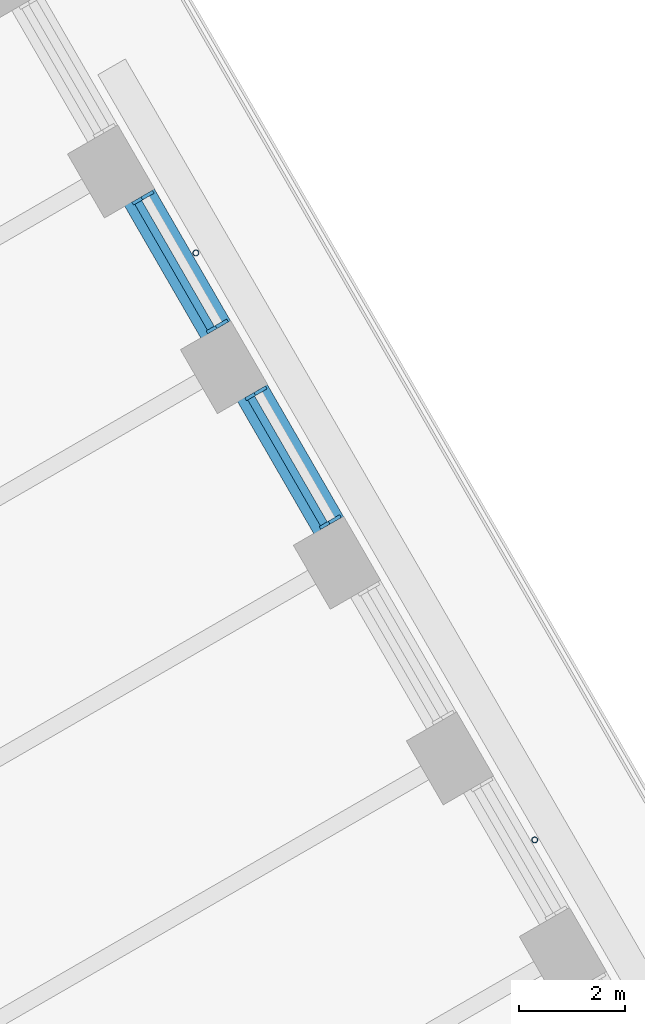
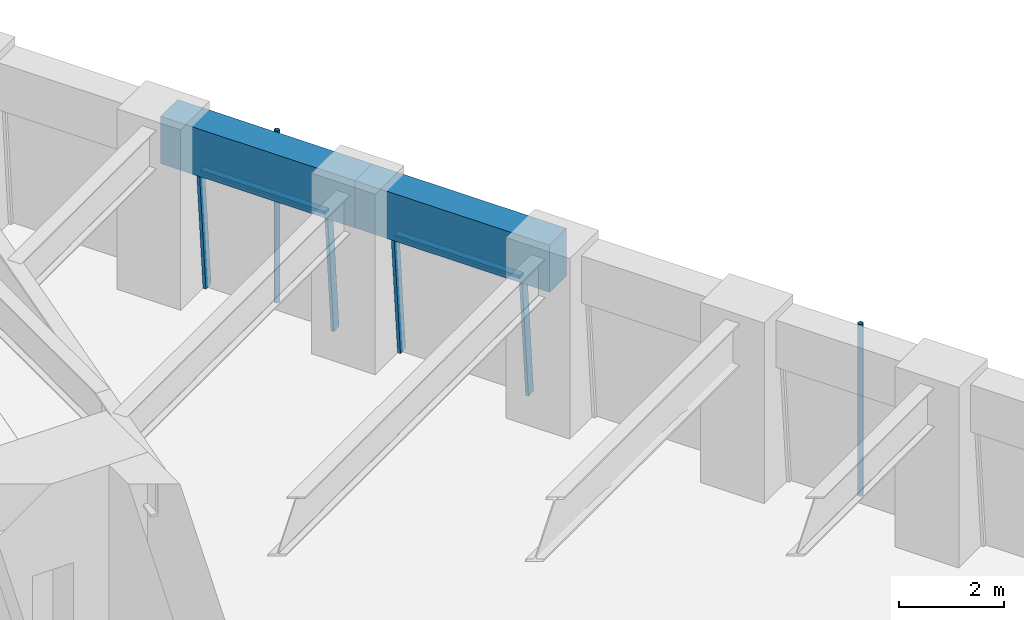
# One storey, part 10 of 19: 8 members, 2 beams, 2 elements without a shape of their own.
"""IFC4 building model written with IfcOpenShell, lengths in metres."""

from ifc_helpers import new_model, si_unit, direction, frame, origin, origin_2d, place, context, subcontext, project, spatial, rectangle, hollow_circle, extrude, material, material_profile, profile_set, type_object, element, aggregate, save


model = new_model("IFC4")

# Units and contexts
model_context = context("Model", 3, precision=1e-05, world=origin(), true_north=direction((0.0, 1.0)))
body_context = subcontext(model_context, "Body", "Model", "MODEL_VIEW")
ifc_project = project(units=[si_unit("LENGTHUNIT", "METRE"), si_unit("AREAUNIT", "SQUARE_METRE"), si_unit("VOLUMEUNIT", "CUBIC_METRE"), si_unit("PLANEANGLEUNIT", "RADIAN"), si_unit("MASSUNIT", "GRAM", prefix="KILO")], contexts=[model_context])

# Site, building, storey
site_placement = place(None, origin())
site = spatial("IfcSite", under=ifc_project, at=site_placement, CompositionType="ELEMENT")
building_placement = place(site_placement, origin())
building = spatial("IfcBuilding", under=site, at=building_placement, Name="Tarfa Lantern Tower", CompositionType="ELEMENT")
storey_placement = place(building_placement, frame((0.0, 0.0, 328.300048828125)))
storey = spatial("IfcBuildingStorey", under=building, at=storey_placement, Name="L74", CompositionType="ELEMENT", Elevation=328.300048828125)

# Curtain wall, members
ifc_material_1 = material(Name="Aluminium framed curtain wall", Category="aluminium")
curtain_wall_type = type_object("IfcCurtainWallType", Name="CW4 CANTED GLAZING EXECUTIVE ZONE 2900", PredefinedType="USERDEFINED", material=ifc_material_1)
curtain_wall_1_placement = place(storey_placement, origin())
curtain_wall_1 = element("IfcCurtainWall", 1, at=curtain_wall_1_placement, inside=storey, type_object=curtain_wall_type, Name="CW4 NE L74", ObjectType="CURTAIN WALL", PredefinedType="USERDEFINED")
ifc_material_2 = material(Name="Aluminium mullion", Category="aluminium")
ifc_material_profile_1 = material_profile(ifc_material_2, rectangle(XDim=0.06494140625, YDim=0.199951171875, at=origin_2d()), Name="AL MULLION 65x200")
ifc_profile_set_1 = profile_set([ifc_material_profile_1], Name="Aluminium mullion")
member_type_1 = type_object("IfcMemberType", Name="CWM1 MULLION 65x200", PredefinedType="MULLION", material=ifc_profile_set_1)
member_1_placement = place(storey_placement, frame((22.71337890625, 13.95947265625, 0.0), z_axis=(-0.074399820079, -0.042945555672, 0.996303340364), x_axis=(0.499919672301, -0.866071776036, 0.0)))
member_1 = element("IfcMember", 2, at=member_1_placement, type_object=member_type_1, Name="CW4 mullion 1", PredefinedType="MULLION", context=body_context, shape_type="SweptSolid", body=[
    extrude(rectangle(XDim=0.06494140625, YDim=0.199951171875, at=origin_2d()), origin(), (0.0, 0.0, 1.0), 2.91064453125),
])
member_2_placement = place(storey_placement, frame((21.304931640625, 16.39892578125, 0.0), z_axis=(-0.074399820079, -0.042945555672, 0.996303340364), x_axis=(0.499919672301, -0.866071776036, 0.0)))
member_2 = element("IfcMember", 3, at=member_2_placement, type_object=member_type_1, Name="CW4 mullion 2", PredefinedType="MULLION", context=body_context, shape_type="SweptSolid", body=[
    extrude(rectangle(XDim=0.06494140625, YDim=0.199951171875, at=origin_2d()), origin(), (0.0, 0.0, 1.0), 2.91064453125),
])

curtain_wall_2_placement = place(storey_placement, origin())
curtain_wall_2 = element("IfcCurtainWall", 4, at=curtain_wall_2_placement, inside=storey, type_object=curtain_wall_type, Name="CW4 NE L74", ObjectType="CURTAIN WALL", PredefinedType="USERDEFINED")
member_3_placement = place(storey_placement, frame((20.572265625, 17.667724609375, 0.0), z_axis=(-0.074399820079, -0.042945555672, 0.996303340364), x_axis=(0.499919672301, -0.866071776036, 0.0)))
member_3 = element("IfcMember", 5, at=member_3_placement, type_object=member_type_1, Name="CW4 mullion 1", PredefinedType="MULLION", context=body_context, shape_type="SweptSolid", body=[
    extrude(rectangle(XDim=0.06494140625, YDim=0.199951171875, at=origin_2d()), origin(), (0.0, 0.0, 1.0), 2.91064453125),
])
member_4_placement = place(storey_placement, frame((19.163818359375, 20.107421875, 0.0), z_axis=(-0.074399820079, -0.042945555672, 0.996303340364), x_axis=(0.499919672301, -0.866071776036, 0.0)))
member_4 = element("IfcMember", 6, at=member_4_placement, type_object=member_type_1, Name="CW4 mullion 2", PredefinedType="MULLION", context=body_context, shape_type="SweptSolid", body=[
    extrude(rectangle(XDim=0.06494140625, YDim=0.199951171875, at=origin_2d()), origin(), (0.0, 0.0, 1.0), 2.91064453125),
])

# Member
ifc_material_3 = material(Name="Aluminium transom", Category="aluminium")
ifc_material_profile_2 = material_profile(ifc_material_3, rectangle(XDim=0.14990234375, YDim=0.06494140625, at=origin_2d()), Name="AL TRANSOM 150x65")
ifc_profile_set_2 = profile_set([ifc_material_profile_2], Name="Aluminium transom")
member_type_2 = type_object("IfcMemberType", Name="CWT1 TRANSOM 150x65", PredefinedType="USERDEFINED", material=ifc_profile_set_2)
member_5_placement = place(storey_placement, frame((22.48291015625, 13.864013671875, 2.867431640625), z_axis=(-0.499993790352, 0.866028988896, 0.0), x_axis=(-0.866028988896, -0.499993790352, 0.0)))
member_5 = element("IfcMember", 7, at=member_5_placement, type_object=member_type_2, Name="CW4 transom 1.2", ObjectType="TRANSOM", PredefinedType="USERDEFINED", context=body_context, shape_type="SweptSolid", body=[
    extrude(rectangle(XDim=0.14990234375, YDim=0.06494140625, at=origin_2d()), origin(), (0.0, 0.0, 1.0), 2.751953125),
])

aggregate(curtain_wall_1, [member_1, member_2, member_5])

member_6_placement = place(storey_placement, frame((20.342041015625, 17.572265625, 2.867431640625), z_axis=(-0.499993790352, 0.866028988896, 0.0), x_axis=(-0.866028988896, -0.499993790352, 0.0)))
member_6 = element("IfcMember", 8, at=member_6_placement, type_object=member_type_2, Name="CW4 transom 1.2", ObjectType="TRANSOM", PredefinedType="USERDEFINED", context=body_context, shape_type="SweptSolid", body=[
    extrude(rectangle(XDim=0.14990234375, YDim=0.06494140625, at=origin_2d()), origin(), (0.0, 0.0, 1.0), 2.751953125),
])

aggregate(curtain_wall_2, [member_3, member_4, member_6])

# Beams
ifc_material_4 = material(Name="Concrete C80/95", Category="concrete")
ifc_material_profile_3 = material_profile(ifc_material_4, rectangle(XDim=0.64990234375, YDim=1.10009765625, at=origin_2d()), Name="RC 650x1100")
ifc_profile_set_3 = profile_set([ifc_material_profile_3], Name="Concrete C80/95")
beam_type = type_object("IfcBeamType", Name="EB4 RC 650x1100", PredefinedType="SPANDREL", material=ifc_profile_set_3)
for number, where, z_axis, x_axis, name in (
    (9, (22.923583984375, 13.235107421875, 3.449951171875), (-0.499984039138, 0.866034618596, 0.0), (-0.866034618596, -0.499984039138, 0.0), "Edge beam NE3"),
    (10, (20.78271484375, 16.943359375, 3.449951171875), (-0.500026801138, 0.866009929587, 0.0), (-0.866009929587, -0.500026801138, 0.0), "Edge beam NE4"),
):
    element("IfcBeam", number, at=place(storey_placement, frame(where, z_axis=z_axis, x_axis=x_axis)), inside=storey, type_object=beam_type, Name=name, PredefinedType="SPANDREL", context=body_context, shape_type="SweptSolid", body=[
        extrude(rectangle(XDim=0.64990234375, YDim=1.10009765625, at=origin_2d()), origin(), (0.0, 0.0, 1.0), 4.281982421875),
    ])

# Members
ifc_material_5 = material(Name="Steel S355", Category="steel")
ifc_material_profile_4 = material_profile(ifc_material_5, hollow_circle(Radius=0.05712890625, WallThickness=0.00634765625, at=origin_2d()), Name="CHS114.3x6.3")
ifc_profile_set_4 = profile_set([ifc_material_profile_4], Name="Steel S355")
member_type_3 = type_object("IfcMemberType", Name="TR1 GREEN WALL TRELLIS CHS114.3x6.3", PredefinedType="USERDEFINED", material=ifc_profile_set_4)
for number, where, z_axis, x_axis, name in (
    (11, (26.481689453125, 7.87255859375, 0.0), (0.0, 0.0, 1.0), (1.0, 0.0, 0.0), "Trellis post NE 1"),
    (12, (20.05859375, 18.99755859375, 0.0), (0.0, 0.0, 1.0), (1.0, 0.0, 0.0), "Trellis post NE 2"),
):
    element("IfcMember", number, at=place(storey_placement, frame(where, z_axis=z_axis, x_axis=x_axis)), inside=storey, type_object=member_type_3, Name=name, ObjectType="TRELLIS", PredefinedType="USERDEFINED", context=body_context, shape_type="SweptSolid", body=[
        extrude(hollow_circle(Radius=0.05712890625, WallThickness=0.00634765625, at=origin_2d()), origin(), (0.0, 0.0, 1.0), 4.0),
    ])

save(model, "model.ifc")
